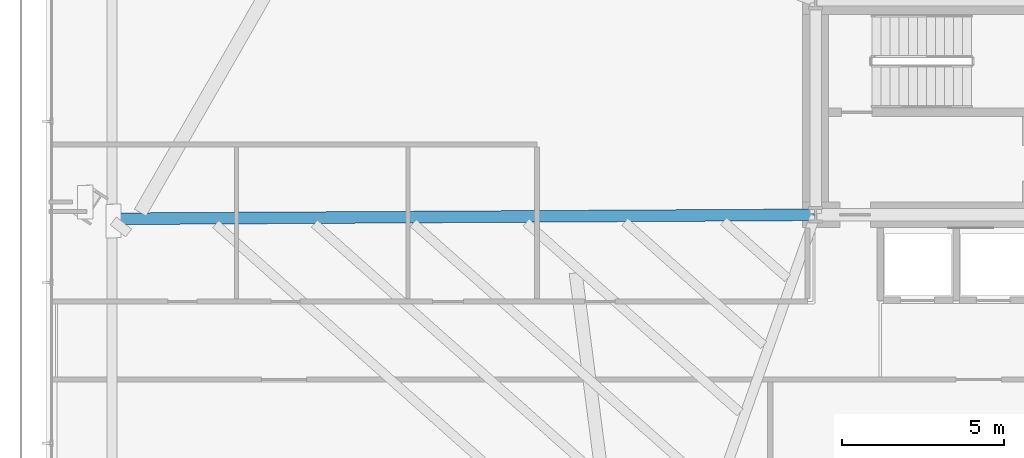
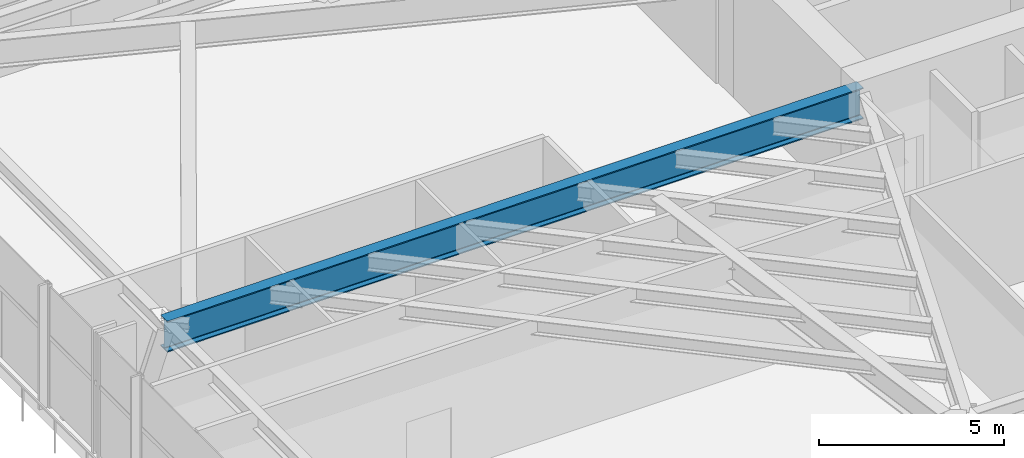
# One storey, part 9 of 33: 1 beam.
"""IFC4 building model written with IfcOpenShell, lengths in metres."""

from ifc_helpers import new_model, si_unit, direction, frame, origin, origin_2d, place, context, subcontext, project, spatial, i_section, extrude, source, transform, mapped, material, material_profile, profile_set, type_object, type_shapes, element, save


model = new_model("IFC4")

# Units and contexts
model_context = context("Model", 3, precision=1e-05, world=origin(), true_north=direction((0.0, 1.0)))
body_context = subcontext(model_context, "Body", "Model", "MODEL_VIEW")
ifc_project = project(units=[si_unit("LENGTHUNIT", "METRE"), si_unit("AREAUNIT", "SQUARE_METRE"), si_unit("VOLUMEUNIT", "CUBIC_METRE"), si_unit("PLANEANGLEUNIT", "RADIAN"), si_unit("MASSUNIT", "GRAM", prefix="KILO")], contexts=[model_context])

# Site, building, storey
site_placement = place(None, origin())
site = spatial("IfcSite", under=ifc_project, at=site_placement, CompositionType="ELEMENT")
building_placement = place(site_placement, origin())
building = spatial("IfcBuilding", under=site, at=building_placement, Name="Astriad Promenade Condominiums", CompositionType="ELEMENT")
storey_placement = place(building_placement, frame((0.0, 0.0, 9.5)))
storey = spatial("IfcBuildingStorey", under=building, at=storey_placement, Name="L02", CompositionType="ELEMENT", Elevation=9.5)

# Beam
ifc_material = material(Name="Steel ASTM A992 Grade 50", Category="steel")
ifc_material_profile = material_profile(ifc_material, i_section(OverallWidth=0.361083984375, OverallDepth=1.025634765625, WebThickness=0.01904296875, FlangeThickness=0.0361328125, FilletRadius=0.025390625, at=origin_2d()), Name="W40X249")
ifc_profile_set = profile_set([ifc_material_profile], Name="Steel ASTM A992 Grade 50")
beam_type = type_object("IfcBeamType", Name="STEEL PODIUM GIRDER W40X249", PredefinedType="BEAM", material=ifc_profile_set)
shared_shape = source(origin(), body_context, "Body", "SweptSolid", [
    extrude(i_section(OverallWidth=0.361083984375, OverallDepth=1.025634765625, WebThickness=0.01904296875, FlangeThickness=0.0361328125, FilletRadius=0.025390625, at=origin_2d()), origin(), (0.0, 0.0, 1.0), 21.75341796875),
])
type_shapes(beam_type, [shared_shape])
beam_placement = place(storey_placement, frame((4.60693359375, 17.275634765625, 3.567138671875), z_axis=(0.999983683396, 0.005712525054, 0.0), x_axis=(-0.005712525054, 0.999983683396, 0.0)))
element("IfcBeam", 1, at=beam_placement, inside=storey, type_object=beam_type, Name="Primary Floor Girder PG-WM-L02", PredefinedType="BEAM", context=body_context, shape_type="MappedRepresentation", body=[
    mapped(shared_shape, transform((0.0, 0.0, 0.0), scale=1.0)),
])

save(model, "model.ifc")
